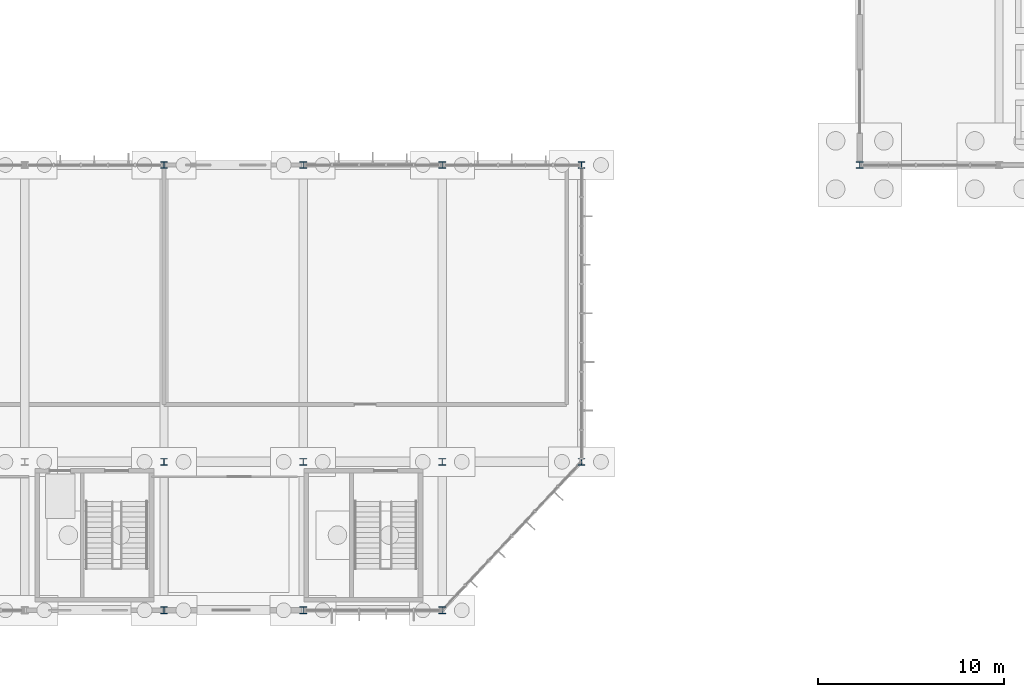
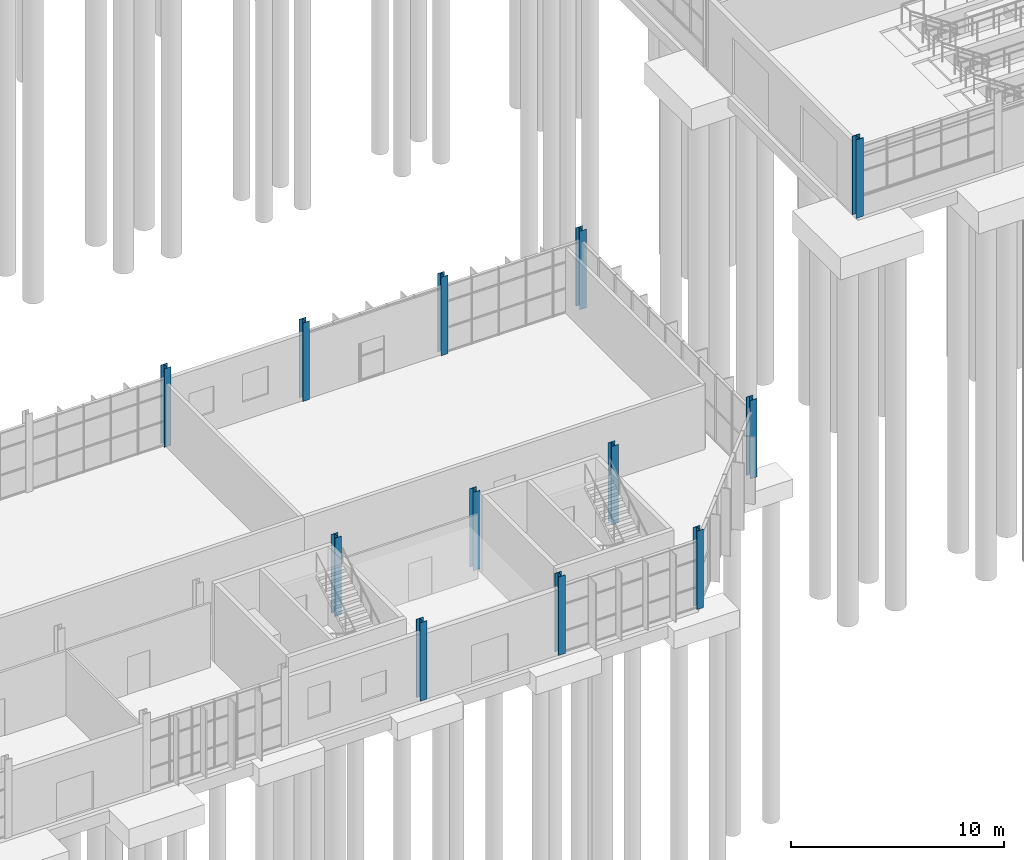
# One storey, part 13 of 136: 12 columns.
"""IFC4 building model written with IfcOpenShell, lengths in metres."""

import ifcopenshell
import ifcopenshell.guid

model = None  # the IFC model being written
_history = None  # IfcOwnerHistory: only IFC2X3 demands one
_inside = {}  # id of a spatial element -> (the spatial element, [elements in it])
_under = {}  # id of a project, library or spatial element -> (it, [spatial elements below it])
_declared = {}  # id of a project -> (the project, [libraries it declares])
_typed = {}  # id of a type object -> (the type object, [elements of that type])
_made_of = {}  # id of a material, layer set ... -> (it, [elements and type objects made of it])


def new_model(schema):
    """Start an empty IFC model of exactly this schema.

    Asked for "IFC4X3", IfcOpenShell would pick the latest addendum, in which some entities
    have other attributes; the version numbers below select the first issue.
    IFC2X3 requires an IfcOwnerHistory on every rooted entity: one is made here for all.
    """
    global model, _history
    if schema == "IFC4X3":
        model = ifcopenshell.file(schema_version=(4, 3, 0, 0))
    else:
        model = ifcopenshell.file(schema=schema)
    _inside.clear()
    _under.clear()
    _declared.clear()
    _typed.clear()
    _made_of.clear()
    _history = None
    if model.schema == "IFC2X3":
        org = make("IfcOrganization", Name="unknown")
        user = make(
            "IfcPersonAndOrganization",
            ThePerson=make("IfcPerson", FamilyName="unknown"),
            TheOrganization=org,
        )
        app = make(
            "IfcApplication",
            ApplicationDeveloper=org,
            Version="unknown",
            ApplicationFullName="unknown",
            ApplicationIdentifier="unknown",
        )
        _history = make(
            "IfcOwnerHistory",
            OwningUser=user,
            OwningApplication=app,
            ChangeAction="ADDED",
            CreationDate=0,
        )
    return model


def make(cls, **values):
    """One entity of the class cls with the attributes given. An attribute that is None is left unset."""
    return model.create_entity(
        cls, **{name: value for name, value in values.items() if value is not None}
    )


def rooted(cls, **values):
    """An entity with a GlobalId (a new one), such as an element, a storey or a relation."""
    return make(cls, GlobalId=ifcopenshell.guid.new(), OwnerHistory=_history, **values)


def si_unit(unit_type, name, prefix=None):
    """IfcSIUnit, for example si_unit("LENGTHUNIT", "METRE", prefix="MILLI")."""
    return make("IfcSIUnit", UnitType=unit_type, Prefix=prefix, Name=name)


def assignment(units):
    """IfcUnitAssignment: the units of a project."""
    return None if units is None else make("IfcUnitAssignment", Units=units)


def point(xyz):
    """IfcCartesianPoint."""
    return None if xyz is None else make("IfcCartesianPoint", Coordinates=xyz)


def direction(xyz):
    """IfcDirection."""
    return None if xyz is None else make("IfcDirection", DirectionRatios=xyz)


def frame(location, z_axis=None, x_axis=None):
    """IfcAxis2Placement3D, a coordinate frame: its origin and axes. An axis left out is left unset."""
    return make(
        "IfcAxis2Placement3D",
        Location=point(location),
        Axis=direction(z_axis),
        RefDirection=direction(x_axis),
    )


def frame_2d(location, x_axis=None):
    """IfcAxis2Placement2D, a coordinate frame in the plane: its origin and x axis."""
    return make(
        "IfcAxis2Placement2D", Location=point(location), RefDirection=direction(x_axis)
    )


def origin():
    """The frame at (0, 0, 0) with its axes left unset."""
    return frame((0.0, 0.0, 0.0))


def origin_2d():
    """The frame at (0, 0) in the plane with its x axis left unset."""
    return frame_2d((0.0, 0.0))


def place(relative_to, where):
    """IfcLocalPlacement: puts the frame where relative to a parent placement (None: the world)."""
    return make(
        "IfcLocalPlacement", PlacementRelTo=relative_to, RelativePlacement=where
    )


def context(
    kind, dimensions, precision=None, world=None, true_north=None, identifier=None
):
    """IfcGeometricRepresentationContext, for example the 3D "Model" context."""
    return make(
        "IfcGeometricRepresentationContext",
        ContextIdentifier=identifier,
        ContextType=kind,
        CoordinateSpaceDimension=dimensions,
        Precision=precision,
        WorldCoordinateSystem=world,
        TrueNorth=true_north,
    )


def subcontext(parent, identifier, kind, view, scale=None):
    """IfcGeometricRepresentationSubContext, for example "Body" below "Model"."""
    return make(
        "IfcGeometricRepresentationSubContext",
        ContextIdentifier=identifier,
        ContextType=kind,
        ParentContext=parent,
        TargetScale=scale,
        TargetView=view,
    )


def project(units=None, contexts=None):
    """IfcProject with its units and contexts."""
    return rooted(
        "IfcProject",
        Name="project",
        RepresentationContexts=contexts,
        UnitsInContext=assignment(units),
    )


def spatial(cls, under=None, at=None, **own):
    """A site, building, storey or space (cls), placed at a placement, below another one or the project."""
    s = rooted(cls, ObjectPlacement=at, **own)
    if under is not None:
        _under.setdefault(under.id(), (under, []))[1].append(s)
    return s


def profile(cls, at=None, kind="AREA", **sizes):
    """A parametric profile (cls). Its sizes go by their IFC names, for example OverallWidth=200.0."""
    return make(cls, ProfileType=kind, Position=at, **sizes)


def i_section(**sizes):
    """IfcIShapeProfileDef."""
    return profile("IfcIShapeProfileDef", **sizes)


def extrude(swept, where, along, depth):
    """IfcExtrudedAreaSolid: the profile swept, set in the frame where, extruded along a direction by depth."""
    return make(
        "IfcExtrudedAreaSolid",
        SweptArea=swept,
        Position=where,
        ExtrudedDirection=direction(along),
        Depth=depth,
    )


def shape(context_of_items, identifier, shape_type, items):
    """IfcShapeRepresentation: the items that make up one representation, for example the "Body"."""
    return make(
        "IfcShapeRepresentation",
        ContextOfItems=context_of_items,
        RepresentationIdentifier=identifier,
        RepresentationType=shape_type,
        Items=items,
    )


def material(Name=None, Category=None):
    """IfcMaterial."""
    return make("IfcMaterial", Name=Name, Category=Category)


def material_profile(
    of_material, cross_section, Name=None, Category=None, Priority=None
):
    """IfcMaterialProfile: a cross section and its material."""
    return make(
        "IfcMaterialProfile",
        Name=Name,
        Material=of_material,
        Profile=cross_section,
        Priority=Priority,
        Category=Category,
    )


def profile_set(profiles, Name=None, composite=None):
    """IfcMaterialProfileSet."""
    return make(
        "IfcMaterialProfileSet",
        Name=Name,
        MaterialProfiles=profiles,
        CompositeProfile=composite,
    )


def made_of(thing, what):
    """Note that an element or type object is made of a material, layer set ...; save() writes the relation."""
    if what is not None:
        _made_of.setdefault(what.id(), (what, []))[1].append(thing)
    return thing


def type_object(cls, material=None, **own):
    """A type object (cls), such as IfcWallType, which elements share."""
    return made_of(rooted(cls, **own), material)


def element(
    cls,
    number,
    at=None,
    inside=None,
    cuts=None,
    type_object=None,
    material=None,
    context=None,
    identifier="Body",
    shape_type=None,
    held_by="IfcProductDefinitionShape",
    body=None,
    shapes=None,
    **own,
):
    """One element of the class cls, such as IfcWall. Its Tag is "e" and its number.

    at: its placement. inside: the storey or other place that contains it. cuts: it is an
    opening in that element (IfcRelVoidsElement). A single representation is given by context,
    identifier, shape_type and body (its items); several are given by shapes. held_by: the class
    of the entity that holds the representations. save() writes the other relations.
    """
    e = rooted(cls, Tag="e%d" % number, ObjectPlacement=at, **own)
    if body is not None:
        shapes = [shape(context, identifier, shape_type, body)]
    if shapes is not None:
        e.Representation = make(held_by, Representations=shapes)
    if inside is not None:
        _inside.setdefault(inside.id(), (inside, []))[1].append(e)
    if cuts is not None:
        rooted(
            "IfcRelVoidsElement", RelatingBuildingElement=cuts, RelatedOpeningElement=e
        )
    if type_object is not None:
        _typed.setdefault(type_object.id(), (type_object, []))[1].append(e)
    return made_of(e, material)


def aggregate(whole, parts):
    """IfcRelAggregates: a whole, such as a stair, and the parts it consists of."""
    return rooted("IfcRelAggregates", RelatingObject=whole, RelatedObjects=parts)


def save(model, path):
    """Write the relations noted so far, then the file.

    IfcRelAggregates (storeys below a building ...), IfcRelContainedInSpatialStructure (elements
    in a storey), IfcRelDefinesByType, IfcRelAssociatesMaterial and IfcRelDeclares: one each for
    every whole, place, type object, material and project.
    """
    for whole, parts in _under.values():
        aggregate(whole, parts)
    for where, things in _inside.values():
        rooted(
            "IfcRelContainedInSpatialStructure",
            RelatedElements=things,
            RelatingStructure=where,
        )
    for kind, things in _typed.values():
        rooted("IfcRelDefinesByType", RelatedObjects=things, RelatingType=kind)
    for what, things in _made_of.values():
        rooted("IfcRelAssociatesMaterial", RelatedObjects=things, RelatingMaterial=what)
    for by, libraries in _declared.values():
        rooted("IfcRelDeclares", RelatingContext=by, RelatedDefinitions=libraries)
    model.write(path)


model = new_model("IFC4")

# Units and contexts
model_context = context("Model", 3, precision=1e-05, world=origin(), true_north=direction((0.0, 1.0)))
body_context = subcontext(model_context, "Body", "Model", "MODEL_VIEW")
ifc_project = project(units=[si_unit("LENGTHUNIT", "METRE"), si_unit("AREAUNIT", "SQUARE_METRE"), si_unit("VOLUMEUNIT", "CUBIC_METRE"), si_unit("PLANEANGLEUNIT", "RADIAN"), si_unit("MASSUNIT", "GRAM", prefix="KILO")], contexts=[model_context])

# Site, building, storey
site_placement = place(None, origin())
site = spatial("IfcSite", under=ifc_project, at=site_placement, CompositionType="ELEMENT")
building_placement = place(site_placement, origin())
building = spatial("IfcBuilding", under=site, at=building_placement, Name="Solvenia Promenade Tram Depot", CompositionType="ELEMENT")
storey_placement = place(building_placement, origin())
storey = spatial("IfcBuildingStorey", under=building, at=storey_placement, Name="L00", CompositionType="ELEMENT", Elevation=0.0)

# Columns
ifc_material = material(Name="Structural steel ASTM A992 Gr. 50", Category="steel")
ifc_material_profile_1 = material_profile(ifc_material, i_section(OverallWidth=0.3701171875, OverallDepth=0.360107421875, WebThickness=0.01220703125, FlangeThickness=0.019775390625, FilletRadius=0.014892578125, at=origin_2d()), Name="W360x147", Category="steel")
ifc_profile_set_1 = profile_set([ifc_material_profile_1], Name="Structural steel ASTM A992 Gr. 50")
column_type_1 = type_object("IfcColumnType", Name="Col-W360x147", PredefinedType="COLUMN", material=ifc_profile_set_1)
for number, where, z_axis, x_axis, name in (
    (1, (67.5, 0.0, 0.0), (0.0, 0.0, 1.0), (1.0, 0.0, 0.0), "Steel Column COL-L00-149"),
    (2, (67.5, 8.0, 0.0), (0.0, 0.0, 1.0), (1.0, 0.0, 0.0), "Steel Column COL-L00-151"),
    (3, (67.5, 24.0, 0.0), (0.0, 0.0, 1.0), (1.0, 0.0, 0.0), "Steel Column COL-L00-153"),
    (4, (75.0, 0.0, 0.0), (0.0, 0.0, 1.0), (1.0, 0.0, 0.0), "Steel Column COL-L00-160"),
    (5, (75.0, 8.0, 0.0), (0.0, 0.0, 1.0), (1.0, 0.0, 0.0), "Steel Column COL-L00-162"),
    (6, (75.0, 24.0, 0.0), (0.0, 0.0, 1.0), (1.0, 0.0, 0.0), "Steel Column COL-L00-164"),
    (7, (82.5, 0.0, 0.0), (0.0, 0.0, 1.0), (1.0, 0.0, 0.0), "Steel Column COL-L00-171"),
    (8, (82.5, 8.0, 0.0), (0.0, 0.0, 1.0), (1.0, 0.0, 0.0), "Steel Column COL-L00-173"),
    (9, (82.5, 24.0, 0.0), (0.0, 0.0, 1.0), (1.0, 0.0, 0.0), "Steel Column COL-L00-175"),
    (10, (90.0, 8.0, 0.0), (0.0, 0.0, 1.0), (1.0, 0.0, 0.0), "Steel Column COL-L00-182"),
    (11, (90.0, 24.0, 0.0), (0.0, 0.0, 1.0), (1.0, 0.0, 0.0), "Steel Column COL-L00-184"),
):
    element("IfcColumn", number, at=place(storey_placement, frame(where, z_axis=z_axis, x_axis=x_axis)), inside=storey, type_object=column_type_1, Name=name, PredefinedType="COLUMN", context=body_context, shape_type="SweptSolid", body=[
        extrude(i_section(OverallWidth=0.3701171875, OverallDepth=0.360107421875, WebThickness=0.01220703125, FlangeThickness=0.019775390625, FilletRadius=0.014892578125, at=origin_2d()), origin(), (0.0, 0.0, 1.0), 4.5),
    ])
ifc_material_profile_2 = material_profile(ifc_material, i_section(OverallWidth=0.39404296875, OverallDepth=0.375, WebThickness=0.0205078125, FlangeThickness=0.033203125, FilletRadius=0.01806640625, at=origin_2d()), Name="W360x216", Category="steel")
ifc_profile_set_2 = profile_set([ifc_material_profile_2], Name="Structural steel ASTM A992 Gr. 50")
column_type_2 = type_object("IfcColumnType", Name="Col-W360x216", PredefinedType="COLUMN", material=ifc_profile_set_2)
column_placement = place(storey_placement, frame((105.0, 24.0, 0.0), z_axis=(0.0, 0.0, 1.0), x_axis=(1.0, 0.0, 0.0)))
element("IfcColumn", 12, at=column_placement, inside=storey, type_object=column_type_2, Name="Steel Column COL-L00-196", PredefinedType="COLUMN", context=body_context, shape_type="SweptSolid", body=[
    extrude(i_section(OverallWidth=0.39404296875, OverallDepth=0.375, WebThickness=0.0205078125, FlangeThickness=0.033203125, FilletRadius=0.01806640625, at=origin_2d()), origin(), (0.0, 0.0, 1.0), 4.5),
])

save(model, "model.ifc")
